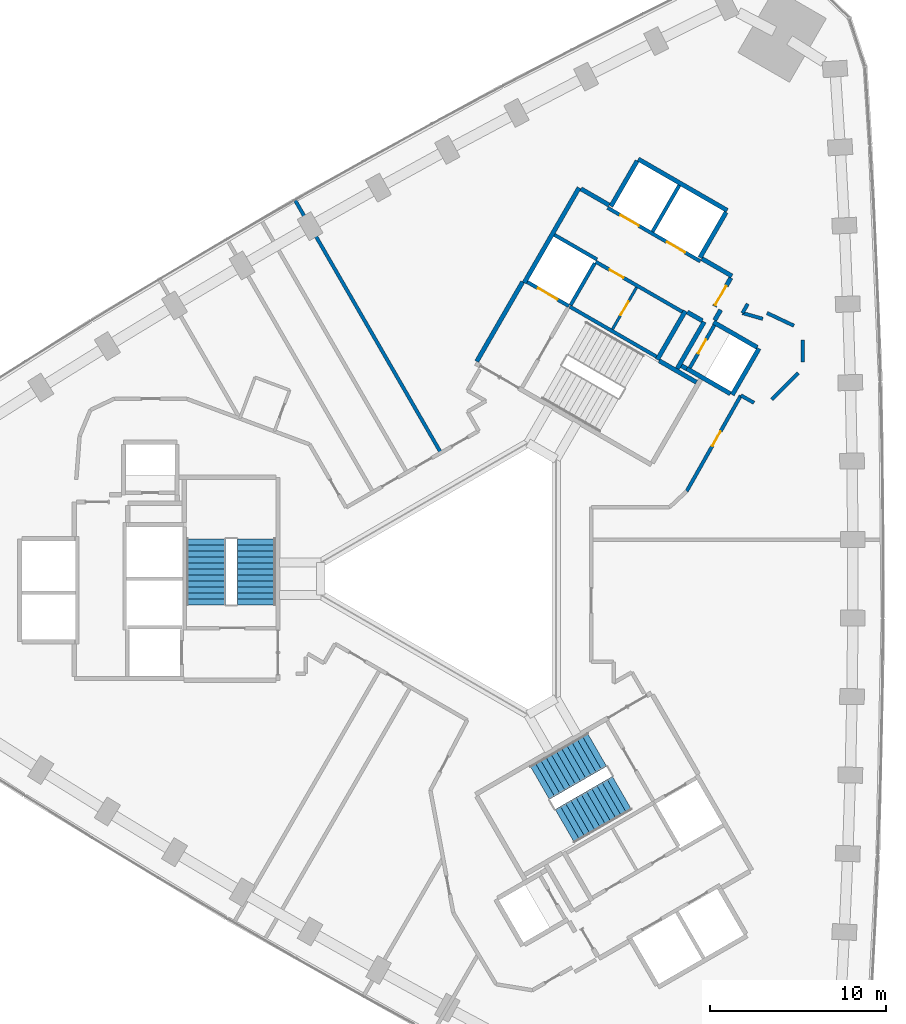
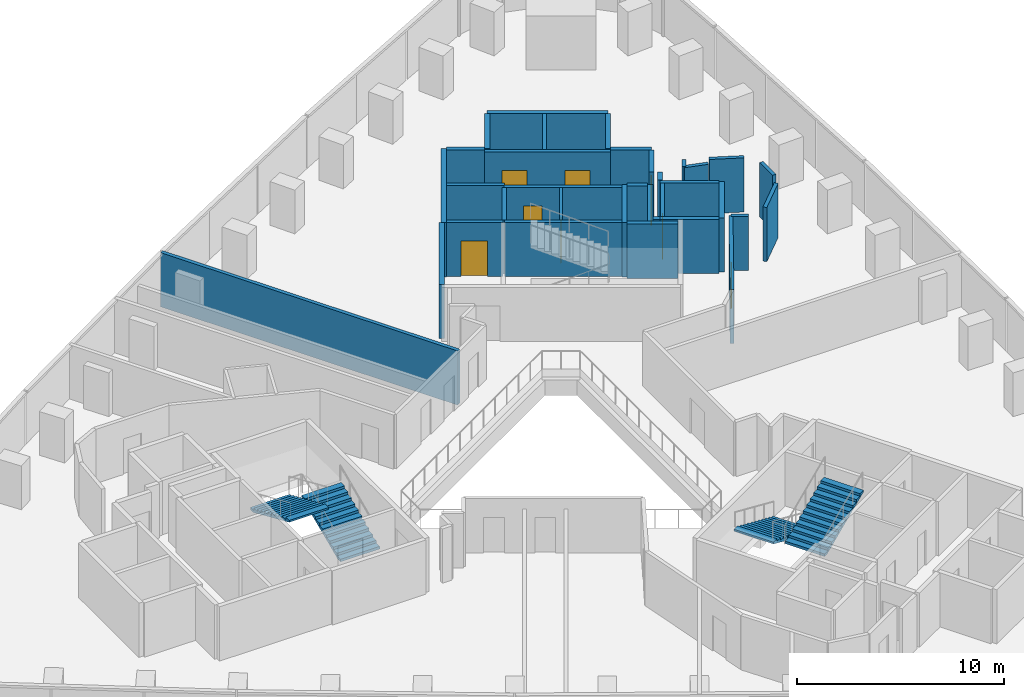
# One storey, part 10 of 12: 34 walls, 8 doors, 4 stair flights, 8 openings, 2 elements without a shape of their own.
"""IFC4 building model written with IfcOpenShell, lengths in metres."""

from ifc_helpers import new_model, si_unit, direction, frame, frame_2d, origin, place, context, subcontext, project, spatial, polyline, rectangle, outline, extrude, material, layer, layer_set, type_object, element, fill, aggregate, save


model = new_model("IFC4")

# Units and contexts
model_context = context("Model", 3, precision=1e-05, world=origin(), true_north=direction((0.0, 1.0)))
body_context = subcontext(model_context, "Body", "Model", "MODEL_VIEW")
ifc_project = project(units=[si_unit("LENGTHUNIT", "METRE"), si_unit("AREAUNIT", "SQUARE_METRE"), si_unit("VOLUMEUNIT", "CUBIC_METRE"), si_unit("PLANEANGLEUNIT", "RADIAN"), si_unit("MASSUNIT", "GRAM", prefix="KILO")], contexts=[model_context])

# Site, building, storey
site_placement = place(None, origin())
site = spatial("IfcSite", under=ifc_project, at=site_placement, CompositionType="ELEMENT")
building_placement = place(site_placement, origin())
building = spatial("IfcBuilding", under=site, at=building_placement, Name="Tamra Quay Hotel Tower", CompositionType="ELEMENT")
storey_placement = place(building_placement, frame((0.0, 0.0, 71.0)))
storey = spatial("IfcBuildingStorey", under=building, at=storey_placement, Name="L16", CompositionType="ELEMENT", Elevation=71.0)

# Wall, openings, doors
ifc_material_1 = material(Name="Concrete M70", Category="concrete")
ifc_layer_1 = layer(ifc_material_1, 0.199951171875)
ifc_layer_set_1 = layer_set([ifc_layer_1], Name="Concrete M70 core wall 200")
wall_type_1 = type_object("IfcWallType", Name="Concrete M70 core wall 200", PredefinedType="SHEAR", material=ifc_layer_set_1)
wall_1_placement = place(storey_placement, frame((13.209716796875, 18.07958984375, 0.0), z_axis=(0.0, 0.0, 1.0), x_axis=(-0.866030299012, 0.499991521122, 0.0)))
wall_1 = element("IfcWall", 1, at=wall_1_placement, inside=storey, type_object=wall_type_1, Name="CW2", PredefinedType="SHEAR", context=body_context, shape_type="SweptSolid", body=[
    extrude(rectangle(XDim=6.10009765625, YDim=0.199951171875, at=frame_2d((3.050048828125, 0.0))), origin(), (0.0, 0.0, 1.0), 3.199951171875),
])
opening_1_placement = place(wall_1_placement, frame((1.0, 0.0, 0.0)))
opening_1 = element("IfcOpeningElement", 2, at=opening_1_placement, cuts=wall_1, Name="Opening LD", PredefinedType="OPENING", context=body_context, shape_type="SweptSolid", body=[
    extrude(rectangle(XDim=1.199951171875, YDim=2.10009765625, at=frame_2d((0.60009765625, 1.050048828125))), frame((0.0, 0.10986328125, 0.0), z_axis=(0.0, -1.0, 0.0), x_axis=(1.0, 0.0, 0.0)), (0.0, 0.0, 1.0), 0.219970703125),
])
opening_2_placement = place(wall_1_placement, frame((4.05029296875, 0.0, 0.0)))
opening_2 = element("IfcOpeningElement", 3, at=opening_2_placement, cuts=wall_1, Name="Opening LD", PredefinedType="OPENING", context=body_context, shape_type="SweptSolid", body=[
    extrude(rectangle(XDim=1.199951171875, YDim=2.10009765625, at=frame_2d((0.60009765625, 1.050048828125))), frame((0.0, 0.10986328125, 0.0), z_axis=(0.0, -1.0, 0.0), x_axis=(1.0, 0.0, 0.0)), (0.0, 0.0, 1.0), 0.219970703125),
])
ifc_material_2 = material(Name="Landing door LD 1200 double door sliding")
door_type_1 = type_object("IfcDoorType", Name="Landing door LD 1200 double door sliding", OperationType="DOUBLE_DOOR_SLIDING", PredefinedType="DOOR", material=ifc_material_2)
door_1_placement = place(opening_1_placement, origin())
door_1 = element("IfcDoor", 4, at=door_1_placement, inside=storey, type_object=door_type_1, Name="LD", OperationType="DOUBLE_DOOR_SLIDING", OverallHeight=2.10009765625, OverallWidth=1.199951171875, PredefinedType="DOOR", context=body_context, shape_type="SweptSolid", body=[
    extrude(rectangle(XDim=1.199951171875, YDim=2.10009765625, at=frame_2d((0.60009765625, 1.050048828125))), frame((0.0, 0.02490234375, 0.0), z_axis=(0.0, -1.0, 0.0), x_axis=(1.0, 0.0, 0.0)), (0.0, 0.0, 1.0), 0.050048828125),
])
fill(opening_1, door_1)
door_2_placement = place(opening_2_placement, origin())
door_2 = element("IfcDoor", 5, at=door_2_placement, inside=storey, type_object=door_type_1, Name="LD", OperationType="DOUBLE_DOOR_SLIDING", OverallHeight=2.10009765625, OverallWidth=1.199951171875, PredefinedType="DOOR", context=body_context, shape_type="SweptSolid", body=[
    extrude(rectangle(XDim=1.199951171875, YDim=2.10009765625, at=frame_2d((0.60009765625, 1.050048828125))), frame((0.0, 0.02490234375, 0.0), z_axis=(0.0, -1.0, 0.0), x_axis=(1.0, 0.0, 0.0)), (0.0, 0.0, 1.0), 0.050048828125),
])
fill(opening_2, door_2)

# Wall
wall_2_placement = place(storey_placement, frame((5.774658203125, 15.501953125, 0.0), z_axis=(0.0, 0.0, 1.0), x_axis=(0.866020080793, -0.500009219579, 0.0)))
element("IfcWall", 6, at=wall_2_placement, inside=storey, type_object=wall_type_1, Name="CW2", PredefinedType="SHEAR", context=body_context, shape_type="SweptSolid", body=[
    extrude(rectangle(XDim=5.69921875, YDim=0.199951171875, at=frame_2d((2.849609375, 0.0))), origin(), (0.0, 0.0, 1.0), 3.199951171875),
])

# Wall, opening, door
wall_3_placement = place(storey_placement, frame((12.18505859375, 15.20703125, 0.0), z_axis=(0.0, 0.0, 1.0), x_axis=(-0.866020080793, 0.500009219579, 0.0)))
wall_3 = element("IfcWall", 7, at=wall_3_placement, inside=storey, type_object=wall_type_1, Name="CW2", PredefinedType="SHEAR", context=body_context, shape_type="SweptSolid", body=[
    extrude(rectangle(XDim=5.69921875, YDim=0.199951171875, at=frame_2d((2.849609375, 0.0))), origin(), (0.0, 0.0, 1.0), 3.199951171875),
])
opening_3_placement = place(wall_3_placement, frame((3.8740234375, 0.0, 0.0)))
opening_3 = element("IfcOpeningElement", 8, at=opening_3_placement, cuts=wall_3, Name="Opening D2", PredefinedType="OPENING", context=body_context, shape_type="SweptSolid", body=[
    extrude(rectangle(XDim=0.89990234375, YDim=2.10009765625, at=frame_2d((0.449951171875, 1.050048828125))), frame((0.0, 0.10986328125, 0.0), z_axis=(0.0, -1.0, 0.0), x_axis=(1.0, 0.0, 0.0)), (0.0, 0.0, 1.0), 0.219970703125),
])
ifc_material_3 = material(Name="Core door D2 900x2100 LH")
door_type_2 = type_object("IfcDoorType", Name="Core door D2 900x2100 LH", OperationType="NOTDEFINED", PredefinedType="DOOR", material=ifc_material_3)
door_3_placement = place(opening_3_placement, origin())
door_3 = element("IfcDoor", 9, at=door_3_placement, inside=storey, type_object=door_type_2, Name="D2", OperationType="SINGLE_SWING_LEFT", OverallHeight=2.10009765625, OverallWidth=0.89990234375, PredefinedType="DOOR", context=body_context, shape_type="SweptSolid", body=[
    extrude(rectangle(XDim=0.89990234375, YDim=2.10009765625, at=frame_2d((0.449951171875, 1.050048828125))), frame((0.0, 0.02490234375, 0.0), z_axis=(0.0, -1.0, 0.0), x_axis=(1.0, 0.0, 0.0)), (0.0, 0.0, 1.0), 0.050048828125),
])
fill(opening_3, door_3)

# Wall
wall_4_placement = place(storey_placement, frame((10.48876953125, 19.76708984375, 0.0), z_axis=(0.0, 0.0, 1.0), x_axis=(0.499946628782, 0.866056215479, 0.0)))
element("IfcWall", 10, at=wall_4_placement, inside=storey, type_object=wall_type_1, Name="CW2", PredefinedType="SHEAR", context=body_context, shape_type="SweptSolid", body=[
    extrude(rectangle(XDim=3.048095703125, YDim=0.199951171875, at=frame_2d((1.52392578125, 0.0))), origin(), (0.0, 0.0, 1.0), 3.199951171875),
])

# Wall, opening, door
wall_5_placement = place(storey_placement, frame((14.0078125, 14.442138671875, 0.0), z_axis=(0.0, 0.0, 1.0), x_axis=(-0.499986818241, -0.866033014143, 0.0)))
wall_5 = element("IfcWall", 11, at=wall_5_placement, inside=storey, type_object=wall_type_1, Name="CW2", PredefinedType="SHEAR", context=body_context, shape_type="SweptSolid", body=[
    extrude(rectangle(XDim=2.7978515625, YDim=0.199951171875, at=frame_2d((1.39892578125, 0.0))), origin(), (0.0, 0.0, 1.0), 3.199951171875),
])
opening_4_placement = place(wall_5_placement, frame((0.948974609375, 0.0, 0.0)))
opening_4 = element("IfcOpeningElement", 12, at=opening_4_placement, cuts=wall_5, Name="Opening D1", PredefinedType="OPENING", context=body_context, shape_type="SweptSolid", body=[
    extrude(rectangle(XDim=0.89990234375, YDim=2.10009765625, at=frame_2d((0.449951171875, 1.050048828125))), frame((0.0, 0.10986328125, 0.0), z_axis=(0.0, -1.0, 0.0), x_axis=(1.0, 0.0, 0.0)), (0.0, 0.0, 1.0), 0.219970703125),
])
ifc_material_4 = material(Name="Core door D1 900x2100 RH")
door_type_3 = type_object("IfcDoorType", Name="Core door D1 900x2100 RH", OperationType="NOTDEFINED", PredefinedType="DOOR", material=ifc_material_4)
door_4_placement = place(opening_4_placement, origin())
door_4 = element("IfcDoor", 13, at=door_4_placement, inside=storey, type_object=door_type_3, Name="D1", OperationType="SINGLE_SWING_RIGHT", OverallHeight=2.10009765625, OverallWidth=0.89990234375, PredefinedType="DOOR", context=body_context, shape_type="SweptSolid", body=[
    extrude(rectangle(XDim=0.89990234375, YDim=2.10009765625, at=frame_2d((0.449951171875, 1.050048828125))), frame((0.0, 0.02490234375, 0.0), z_axis=(0.0, -1.0, 0.0), x_axis=(1.0, 0.0, 0.0)), (0.0, 0.0, 1.0), 0.050048828125),
])
fill(opening_4, door_4)

# Wall
wall_6_placement = place(storey_placement, frame((7.199462890625, 17.969970703125, 0.0), z_axis=(0.0, 0.0, 1.0), x_axis=(-0.499968400327, -0.866043647095, 0.0)))
element("IfcWall", 14, at=wall_6_placement, inside=storey, type_object=wall_type_1, Name="CW2", PredefinedType="SHEAR", context=body_context, shape_type="SweptSolid", body=[
    extrude(rectangle(XDim=2.749755859375, YDim=0.199951171875, at=frame_2d((1.375, 0.0))), origin(), (0.0, 0.0, 1.0), 3.199951171875),
])

# Wall, opening, door
wall_7_placement = place(storey_placement, frame((5.72509765625, 15.530517578125, 0.0), z_axis=(0.0, 0.0, 1.0), x_axis=(-0.866037306777, 0.499979382845, 0.0)))
wall_7 = element("IfcWall", 15, at=wall_7_placement, inside=storey, type_object=wall_type_1, Name="CW2", PredefinedType="SHEAR", context=body_context, shape_type="SweptSolid", body=[
    extrude(rectangle(XDim=2.74169921875, YDim=0.199951171875, at=frame_2d((1.370849609375, 0.0))), origin(), (0.0, 0.0, 1.0), 3.199951171875),
])
opening_5_placement = place(wall_7_placement, frame((0.742919921875, 0.0, 0.0)))
opening_5 = element("IfcOpeningElement", 16, at=opening_5_placement, cuts=wall_7, Name="Opening LD", PredefinedType="OPENING", context=body_context, shape_type="SweptSolid", body=[
    extrude(rectangle(XDim=1.300048828125, YDim=2.10009765625, at=frame_2d((0.64990234375, 1.050048828125))), frame((0.0, 0.10986328125, 0.0), z_axis=(0.0, -1.0, 0.0), x_axis=(1.0, 0.0, 0.0)), (0.0, 0.0, 1.0), 0.219970703125),
])
ifc_material_5 = material(Name="Landing door LD 1300 sliding to right")
door_type_4 = type_object("IfcDoorType", Name="Landing door LD 1300 sliding to right", OperationType="NOTDEFINED", PredefinedType="DOOR", material=ifc_material_5)
door_5_placement = place(opening_5_placement, origin())
door_5 = element("IfcDoor", 17, at=door_5_placement, inside=storey, type_object=door_type_4, Name="LD", OperationType="SLIDING_TO_RIGHT", OverallHeight=2.10009765625, OverallWidth=1.300048828125, PredefinedType="DOOR", context=body_context, shape_type="SweptSolid", body=[
    extrude(rectangle(XDim=1.300048828125, YDim=2.10009765625, at=frame_2d((0.64990234375, 1.050048828125))), frame((0.0, 0.02490234375, 0.0), z_axis=(0.0, -1.0, 0.0), x_axis=(1.0, 0.0, 0.0)), (0.0, 0.0, 1.0), 0.050048828125),
])
fill(opening_5, door_5)

# Walls
wall_8_placement = place(storey_placement, frame((4.900634765625, 19.5859375, 0.0), z_axis=(0.0, 0.0, 1.0), x_axis=(0.866022890907, -0.500004352405, 0.0)))
element("IfcWall", 18, at=wall_8_placement, inside=storey, type_object=wall_type_1, Name="CW2", PredefinedType="SHEAR", context=body_context, shape_type="SweptSolid", body=[
    extrude(rectangle(XDim=2.798828125, YDim=0.199951171875, at=frame_2d((1.3994140625, 0.0))), origin(), (0.0, 0.0, 1.0), 3.199951171875),
])
ifc_layer_2 = layer(ifc_material_1, 0.25)
ifc_layer_set_2 = layer_set([ifc_layer_2], Name="Concrete M70 core wall 250")
wall_type_2 = type_object("IfcWallType", Name="Concrete M70 core wall 250", PredefinedType="SHEAR", material=ifc_layer_set_2)
wall_9_placement = place(storey_placement, frame((3.178955078125, 16.856201171875, 0.0), z_axis=(0.0, 0.0, 1.0), x_axis=(0.500004234368, 0.866022959057, 0.0)))
element("IfcWall", 19, at=wall_9_placement, inside=storey, type_object=wall_type_2, Name="CW1", PredefinedType="SHEAR", context=body_context, shape_type="SweptSolid", body=[
    extrude(rectangle(XDim=6.25, YDim=0.25, at=frame_2d((3.125, 0.0))), origin(), (0.0, 0.0, 1.0), 3.199951171875),
])
wall_10_placement = place(storey_placement, frame((9.672607421875, 23.9033203125, 0.0), z_axis=(0.0, 0.0, 1.0), x_axis=(0.86603616409, -0.499981362141, 0.0)))
element("IfcWall", 20, at=wall_10_placement, inside=storey, type_object=wall_type_2, Name="CW1", PredefinedType="SHEAR", context=body_context, shape_type="SweptSolid", body=[
    extrude(rectangle(XDim=5.849853515625, YDim=0.25, at=frame_2d((2.9248046875, 0.0))), origin(), (0.0, 0.0, 1.0), 3.199951171875),
])
wall_11_placement = place(storey_placement, frame((0.47998046875, 12.38134765625, 0.0), z_axis=(0.0, 0.0, 1.0), x_axis=(0.49999885962, 0.866026062182, 0.0)))
element("IfcWall", 21, at=wall_11_placement, inside=storey, type_object=wall_type_2, Name="CW1", PredefinedType="SHEAR", context=body_context, shape_type="SweptSolid", body=[
    extrude(rectangle(XDim=5.224609375, YDim=0.25, at=frame_2d((2.6123046875, 0.0))), origin(), (0.0, 0.0, 1.0), 3.199951171875),
])
wall_12_placement = place(storey_placement, frame((12.356689453125, 15.25244140625, 0.0), z_axis=(0.0, 0.0, 1.0), x_axis=(-0.500028443584, -0.866008981251, 0.0)))
element("IfcWall", 22, at=wall_12_placement, inside=storey, type_object=wall_type_2, Name="CW1", PredefinedType="SHEAR", context=body_context, shape_type="SweptSolid", body=[
    extrude(rectangle(XDim=3.199951171875, YDim=0.25, at=frame_2d((1.60009765625, 0.0))), origin(), (0.0, 0.0, 1.0), 3.199951171875),
])
for number, where, z_axis, x_axis, name in (
    (23, (8.12255859375, 21.21875, 0.0), (0.0, 0.0, 1.0), (0.499987686533, 0.866032512851, 0.0), "CW1"),
    (24, (14.67626953125, 20.869873046875, 0.0), (0.0, 0.0, 1.0), (-0.499987686533, -0.866032512851, 0.0), "CW1"),
):
    element("IfcWall", number, at=place(storey_placement, frame(where, z_axis=z_axis, x_axis=x_axis)), inside=storey, type_object=wall_type_2, Name=name, PredefinedType="SHEAR", context=body_context, shape_type="SweptSolid", body=[
        extrude(rectangle(XDim=2.974609375, YDim=0.25, at=frame_2d((1.4873046875, 0.0))), origin(), (0.0, 0.0, 1.0), 3.199951171875),
    ])
wall_13_placement = place(storey_placement, frame((16.552001953125, 13.118896484375, 0.0), z_axis=(0.0, 0.0, 1.0), x_axis=(-0.499978833458, -0.866037623948, 0.0)))
element("IfcWall", 25, at=wall_13_placement, inside=storey, type_object=wall_type_2, Name="CW1", PredefinedType="SHEAR", context=body_context, shape_type="SweptSolid", body=[
    extrude(rectangle(XDim=3.050048828125, YDim=0.25, at=frame_2d((1.52490234375, 0.0))), origin(), (0.0, 0.0, 1.0), 3.199951171875),
])
wall_14_placement = place(storey_placement, frame((14.91845703125, 10.540283203125, 0.0), z_axis=(0.0, 0.0, 1.0), x_axis=(-0.866063538972, 0.499933942099, 0.0)))
element("IfcWall", 26, at=wall_14_placement, inside=storey, type_object=wall_type_2, Name="CW1", PredefinedType="SHEAR", context=body_context, shape_type="SweptSolid", body=[
    extrude(rectangle(XDim=2.86474609375, YDim=0.25, at=frame_2d((1.432373046875, 0.0))), origin(), (0.0, 0.0, 1.0), 3.199951171875),
])
wall_15_placement = place(storey_placement, frame((13.962646484375, 14.61376953125, 0.0), z_axis=(0.0, 0.0, 1.0), x_axis=(0.866042235819, -0.499970844928, 0.0)))
element("IfcWall", 27, at=wall_15_placement, inside=storey, type_object=wall_type_2, Name="CW1", PredefinedType="SHEAR", context=body_context, shape_type="SweptSolid", body=[
    extrude(rectangle(XDim=2.864501953125, YDim=0.25, at=frame_2d((1.43212890625, 0.0))), origin(), (0.0, 0.0, 1.0), 3.199951171875),
])
wall_16_placement = place(storey_placement, frame((11.887939453125, 11.960693359375, 0.0), z_axis=(0.0, 0.0, 1.0), x_axis=(0.500003324108, 0.866023484601, 0.0)))
element("IfcWall", 28, at=wall_16_placement, inside=storey, type_object=wall_type_2, Name="CW1", PredefinedType="SHEAR", context=body_context, shape_type="SweptSolid", body=[
    extrude(rectangle(XDim=3.0849609375, YDim=0.25, at=frame_2d((1.54248046875, 0.0))), origin(), (0.0, 0.0, 1.0), 3.199951171875),
])
wall_17_placement = place(storey_placement, frame((10.865234375, 12.41845703125, 0.0), z_axis=(0.0, 0.0, 1.0), x_axis=(0.866026229868, -0.499998569178, 0.0)))
element("IfcWall", 29, at=wall_17_placement, inside=storey, type_object=wall_type_2, Name="CW1", PredefinedType="SHEAR", context=body_context, shape_type="SweptSolid", body=[
    extrude(rectangle(XDim=2.44921875, YDim=0.25, at=frame_2d((1.224609375, 0.0))), origin(), (0.0, 0.0, 1.0), 3.199951171875),
])
wall_18_placement = place(storey_placement, frame((13.29736328125, 18.23095703125, 0.0), z_axis=(0.0, 0.0, 1.0), x_axis=(0.866043531843, -0.499968599967, 0.0)))
element("IfcWall", 30, at=wall_18_placement, inside=storey, type_object=wall_type_2, Name="CW1", PredefinedType="SHEAR", context=body_context, shape_type="SweptSolid", body=[
    extrude(rectangle(XDim=1.974853515625, YDim=0.25, at=frame_2d((0.9873046875, 0.0))), origin(), (0.0, 0.0, 1.0), 3.199951171875),
])
wall_19_placement = place(storey_placement, frame((6.41259765625, 22.2060546875, 0.0), z_axis=(0.0, 0.0, 1.0), x_axis=(0.866016279763, -0.500015802937, 0.0)))
element("IfcWall", 31, at=wall_19_placement, inside=storey, type_object=wall_type_2, Name="CW1", PredefinedType="SHEAR", context=body_context, shape_type="SweptSolid", body=[
    extrude(rectangle(XDim=1.84912109375, YDim=0.25, at=frame_2d((0.924560546875, 0.0))), origin(), (0.0, 0.0, 1.0), 3.199951171875),
])

# Wall, opening, door
wall_20_placement = place(storey_placement, frame((14.94482421875, 17.13525390625, 0.0), z_axis=(0.0, 0.0, 1.0), x_axis=(-0.499983108224, -0.866035156036, 0.0)))
wall_20 = element("IfcWall", 32, at=wall_20_placement, inside=storey, type_object=wall_type_2, Name="CW1", PredefinedType="SHEAR", context=body_context, shape_type="SweptSolid", body=[
    extrude(rectangle(XDim=1.86474609375, YDim=0.25, at=frame_2d((0.932373046875, 0.0))), origin(), (0.0, 0.0, 1.0), 3.199951171875),
])
opening_6_placement = place(wall_20_placement, frame((0.53466796875, 0.0, 0.0)))
opening_6 = element("IfcOpeningElement", 33, at=opening_6_placement, cuts=wall_20, Name="Opening FD3", PredefinedType="OPENING", context=body_context, shape_type="SweptSolid", body=[
    extrude(rectangle(XDim=1.25, YDim=2.10009765625, at=frame_2d((0.625, 1.050048828125))), frame((0.0, 0.135009765625, 0.0), z_axis=(0.0, -1.0, 0.0), x_axis=(1.0, 0.0, 0.0)), (0.0, 0.0, 1.0), 0.27001953125),
])
ifc_material_6 = material(Name="Core door FD3 1250x2100 LH")
door_type_5 = type_object("IfcDoorType", Name="Core door FD3 1250x2100 LH", OperationType="NOTDEFINED", PredefinedType="DOOR", material=ifc_material_6)
door_6_placement = place(opening_6_placement, origin())
door_6 = element("IfcDoor", 34, at=door_6_placement, inside=storey, type_object=door_type_5, Name="FD3", OperationType="SINGLE_SWING_LEFT", OverallHeight=2.10009765625, OverallWidth=1.25, PredefinedType="DOOR", context=body_context, shape_type="SweptSolid", body=[
    extrude(rectangle(XDim=1.25, YDim=2.10009765625, at=frame_2d((0.625, 1.050048828125))), frame((0.0, 0.02490234375, 0.0), z_axis=(0.0, -1.0, 0.0), x_axis=(1.0, 0.0, 0.0)), (0.0, 0.0, 1.0), 0.050048828125),
])
fill(opening_6, door_6)

# Walls
wall_21_placement = place(storey_placement, frame((13.322021484375, 14.695068359375, 0.0), z_axis=(0.0, 0.0, 1.0), x_axis=(-0.866017078145, 0.500014420154, 0.0)))
element("IfcWall", 35, at=wall_21_placement, inside=storey, type_object=wall_type_2, Name="CW1", PredefinedType="SHEAR", context=body_context, shape_type="SweptSolid", body=[
    extrude(rectangle(XDim=0.9892578125, YDim=0.25, at=frame_2d((0.49462890625, 0.0))), origin(), (0.0, 0.0, 1.0), 3.199951171875),
])
wall_22_placement = place(storey_placement, frame((14.36767578125, 15.3154296875, 0.0), z_axis=(0.0, 0.0, 1.0), x_axis=(-0.499897359611, -0.866084655132, 0.0)))
element("IfcWall", 36, at=wall_22_placement, inside=storey, type_object=wall_type_2, Name="CW1", PredefinedType="SHEAR", context=body_context, shape_type="SweptSolid", body=[
    extrude(rectangle(XDim=0.684814453125, YDim=0.25, at=frame_2d((0.34228515625, 0.0))), origin(), (0.0, 0.0, 1.0), 3.199951171875),
])
wall_23_placement = place(storey_placement, frame((12.4326171875, 11.9638671875, 0.0), z_axis=(0.0, 0.0, 1.0), x_axis=(-0.866055875208, 0.499947218231, 0.0)))
element("IfcWall", 37, at=wall_23_placement, inside=storey, type_object=wall_type_2, Name="CW1", PredefinedType="SHEAR", context=body_context, shape_type="SweptSolid", body=[
    extrude(rectangle(XDim=0.3447265625, YDim=0.25, at=frame_2d((0.17236328125, 0.0))), origin(), (0.0, 0.0, 1.0), 3.199951171875),
])

# Wall, opening, door
ifc_material_7 = material(Name="Blockwork", Category="masonry")
ifc_layer_3 = layer(ifc_material_7, 0.14990234375)
ifc_layer_set_3 = layer_set([ifc_layer_3], Name="Core partition block 150")
wall_type_3 = type_object("IfcWallType", Name="Core partition block 150", PredefinedType="PARTITIONING", material=ifc_layer_set_3)
wall_24_placement = place(storey_placement, frame((8.20654296875, 14.214111328125, 0.0), z_axis=(0.0, 0.0, 1.0), x_axis=(0.499922376475, 0.866070215109, 0.0)))
wall_24 = element("IfcWall", 38, at=wall_24_placement, inside=storey, type_object=wall_type_3, Name="CP1", PredefinedType="PARTITIONING", context=body_context, shape_type="SweptSolid", body=[
    extrude(rectangle(XDim=2.74853515625, YDim=0.14990234375, at=frame_2d((1.374267578125, 0.0))), origin(), (0.0, 0.0, 1.0), 3.199951171875),
])
opening_7_placement = place(wall_24_placement, frame((0.92431640625, 0.0, 0.0)))
opening_7 = element("IfcOpeningElement", 39, at=opening_7_placement, cuts=wall_24, Name="Opening D2", PredefinedType="OPENING", context=body_context, shape_type="SweptSolid", body=[
    extrude(rectangle(XDim=0.89990234375, YDim=2.10009765625, at=frame_2d((0.449951171875, 1.050048828125))), frame((0.0, 0.0849609375, 0.0), z_axis=(0.0, -1.0, 0.0), x_axis=(1.0, 0.0, 0.0)), (0.0, 0.0, 1.0), 0.169921875),
])
door_7_placement = place(opening_7_placement, origin())
door_7 = element("IfcDoor", 40, at=door_7_placement, inside=storey, type_object=door_type_2, Name="D2", OperationType="SINGLE_SWING_LEFT", OverallHeight=2.10009765625, OverallWidth=0.89990234375, PredefinedType="DOOR", context=body_context, shape_type="SweptSolid", body=[
    extrude(rectangle(XDim=0.89990234375, YDim=2.10009765625, at=frame_2d((0.449951171875, 1.050048828125))), frame((0.0, 0.02490234375, 0.0), z_axis=(0.0, -1.0, 0.0), x_axis=(1.0, 0.0, 0.0)), (0.0, 0.0, 1.0), 0.050048828125),
])
fill(opening_7, door_7)

ifc_material_8 = material(Name="Partition corridor wall")
ifc_layer_4 = layer(ifc_material_8, 0.199951171875)
ifc_layer_set_4 = layer_set([ifc_layer_4], Name="Partition corridor wall")
wall_type_4 = type_object("IfcWallType", Name="Partition corridor wall", PredefinedType="PARTITIONING", material=ifc_layer_set_4)
wall_25_placement = place(storey_placement, frame((12.43310546875, 4.991943359375, 0.0), z_axis=(0.0, 0.0, 1.0), x_axis=(0.492575945335, 0.870269462912, 0.0)))
wall_25 = element("IfcWall", 41, at=wall_25_placement, inside=storey, type_object=wall_type_4, Name="W-C", PredefinedType="PARTITIONING", context=body_context, shape_type="SweptSolid", body=[
    extrude(rectangle(XDim=6.264892578125, YDim=0.199951171875, at=frame_2d((3.13232421875, 0.0))), origin(), (0.0, 0.0, 1.0), 3.199951171875),
])
opening_8_placement = place(wall_25_placement, frame((2.96484375, 0.0, 0.0)))
opening_8 = element("IfcOpeningElement", 42, at=opening_8_placement, cuts=wall_25, Name="Opening L16-D002", PredefinedType="OPENING", context=body_context, shape_type="SweptSolid", body=[
    extrude(rectangle(XDim=0.949951171875, YDim=2.10009765625, at=frame_2d((0.47509765625, 1.050048828125))), frame((0.0, 0.10986328125, 0.0), z_axis=(0.0, -1.0, 0.0), x_axis=(1.0, 0.0, 0.0)), (0.0, 0.0, 1.0), 0.219970703125),
])
ifc_material_9 = material(Name="Door guest room 950x2100")
door_type_6 = type_object("IfcDoorType", Name="Door guest room 950x2100", OperationType="NOTDEFINED", PredefinedType="DOOR", material=ifc_material_9)
door_8_placement = place(opening_8_placement, frame((0.949951171875, 0.0, 0.0), z_axis=(0.0, 0.0, 1.0), x_axis=(-1.0, 0.0, 0.0)))
door_8 = element("IfcDoor", 43, at=door_8_placement, inside=storey, type_object=door_type_6, Name="L16-D002", OperationType="SINGLE_SWING_LEFT", OverallHeight=2.10009765625, OverallWidth=0.949951171875, PredefinedType="DOOR", context=body_context, shape_type="SweptSolid", body=[
    extrude(rectangle(XDim=0.949951171875, YDim=2.10009765625, at=frame_2d((0.47509765625, 1.050048828125))), frame((0.0, 0.02490234375, 0.0), z_axis=(0.0, -1.0, 0.0), x_axis=(1.0, 0.0, 0.0)), (0.0, 0.0, 1.0), 0.050048828125),
])
fill(opening_8, door_8)

# Walls
wall_26_placement = place(storey_placement, frame((15.51904296875, 10.444091796875, 0.0), z_axis=(0.0, 0.0, 1.0), x_axis=(0.870434949671, -0.492283453298, 0.0)))
element("IfcWall", 44, at=wall_26_placement, inside=storey, type_object=wall_type_4, Name="W-C", PredefinedType="PARTITIONING", context=body_context, shape_type="SweptSolid", body=[
    extrude(rectangle(XDim=0.853515625, YDim=0.199951171875, at=frame_2d((0.4267578125, 0.0))), origin(), (0.0, 0.0, 1.0), 3.199951171875),
])
wall_27_placement = place(storey_placement, frame((15.60888671875, 15.135986328125, 0.0), z_axis=(0.0, 0.0, 1.0), x_axis=(0.499251952799, 0.866456858491, 0.0)))
element("IfcWall", 45, at=wall_27_placement, inside=storey, type_object=wall_type_4, Name="W-C", PredefinedType="PARTITIONING", context=body_context, shape_type="SweptSolid", body=[
    extrude(rectangle(XDim=0.59912109375, YDim=0.199951171875, at=frame_2d((0.299560546875, 0.0))), origin(), (0.0, 0.0, 1.0), 3.199951171875),
])
wall_28_placement = place(storey_placement, frame((15.60888671875, 15.135986328125, 0.0), z_axis=(0.0, 0.0, 1.0), x_axis=(0.961662011825, -0.274237442763, 0.0)))
element("IfcWall", 46, at=wall_28_placement, inside=storey, type_object=wall_type_4, Name="W-C", PredefinedType="PARTITIONING", context=body_context, shape_type="SweptSolid", body=[
    extrude(rectangle(XDim=1.199951171875, YDim=0.199951171875, at=frame_2d((0.60009765625, 0.0))), origin(), (0.0, 0.0, 1.0), 3.199951171875),
])
wall_29_placement = place(storey_placement, frame((17.009033203125, 15.134033203125, 0.0), z_axis=(0.0, 0.0, 1.0), x_axis=(0.904158632931, -0.427196870887, 0.0)))
element("IfcWall", 47, at=wall_29_placement, inside=storey, type_object=wall_type_4, Name="W-C", PredefinedType="PARTITIONING", context=body_context, shape_type="SweptSolid", body=[
    extrude(rectangle(XDim=1.687744140625, YDim=0.199951171875, at=frame_2d((0.84375, 0.0))), origin(), (0.0, 0.0, 1.0), 3.199951171875),
])
wall_30_placement = place(storey_placement, frame((17.287109375, 10.212890625, 0.0), z_axis=(0.0, 0.0, 1.0), x_axis=(0.706819117262, 0.707394328132, 0.0)))
element("IfcWall", 48, at=wall_30_placement, inside=storey, type_object=wall_type_4, Name="W-C", PredefinedType="PARTITIONING", context=body_context, shape_type="SweptSolid", body=[
    extrude(rectangle(XDim=2.1220703125, YDim=0.199951171875, at=frame_2d((1.06103515625, 0.0))), origin(), (0.0, 0.0, 1.0), 3.199951171875),
])
wall_31_placement = place(storey_placement, frame((19.050048828125, 12.34912109375, 0.0), z_axis=(0.0, 0.0, 1.0), x_axis=(0.0, 1.0, 0.0)))
element("IfcWall", 49, at=wall_31_placement, inside=storey, type_object=wall_type_4, Name="W-C", PredefinedType="PARTITIONING", context=body_context, shape_type="SweptSolid", body=[
    extrude(rectangle(XDim=1.25, YDim=0.199951171875, at=frame_2d((0.625, 0.0))), origin(), (0.0, 0.0, 1.0), 3.199951171875),
])
ifc_material_10 = material(Name="Partition party wall")
ifc_layer_5 = layer(ifc_material_10, 0.199951171875)
ifc_layer_set_5 = layer_set([ifc_layer_5], Name="Partition party wall")
wall_type_5 = type_object("IfcWallType", Name="Partition party wall", PredefinedType="PARTITIONING", material=ifc_layer_set_5)
wall_32_placement = place(storey_placement, frame((-9.870849609375, 21.5673828125, 0.0), z_axis=(0.0, 0.0, 1.0), x_axis=(0.499933694707, -0.866063681779, 0.0)))
element("IfcWall", 50, at=wall_32_placement, inside=storey, type_object=wall_type_5, Name="W-P", PredefinedType="PARTITIONING", context=body_context, shape_type="SweptSolid", body=[
    extrude(rectangle(XDim=16.607666015625, YDim=0.199951171875, at=frame_2d((8.3037109375, 0.0))), origin(), (0.0, 0.0, 1.0), 3.199951171875),
])

# Stair, stair flights
ifc_material_11 = material(Name="Exit stair 2200 24 risers 150.0 going 342")
stair_type = type_object("IfcStairType", Name="Exit stair 2200 24 risers 150.0 going 342", PredefinedType="HALF_TURN_STAIR", material=ifc_material_11)
stair_1_placement = place(storey_placement, origin())
stair_1 = element("IfcStair", 51, at=stair_1_placement, inside=storey, type_object=stair_type, Name="L16 Exit stair ST3", PredefinedType="HALF_TURN_STAIR")
ifc_material_12 = material(Name="Exit stair flight 2200 12 risers 150.0")
stair_flight_type = type_object("IfcStairFlightType", Name="Exit stair flight 2200 12 risers 150.0", PredefinedType="STRAIGHT", material=ifc_material_12)
stair_flight_1_placement = place(storey_placement, frame((-12.082275390625, -1.47998046875, 0.0), z_axis=(0.0, 0.0, 1.0), x_axis=(0.0, 1.0, 0.0)))
stair_flight_1 = element("IfcStairFlight", 52, at=stair_flight_1_placement, type_object=stair_flight_type, Name="ST3 flight 1", NumberOfRisers=12, NumberOfTreads=11, PredefinedType="STRAIGHT", RiserHeight=0.15, TreadLength=0.342, context=body_context, shape_type="SweptSolid", body=[
    extrude(outline(polyline([(0.0, 0.0), (0.0, 0.14990234375), (0.342041015625, 0.14990234375), (0.342041015625, 0.300048828125), (0.68408203125, 0.300048828125), (0.68408203125, 0.449951171875), (1.02587890625, 0.449951171875), (1.02587890625, 0.60009765625), (1.367919921875, 0.60009765625), (1.367919921875, 0.75), (1.7099609375, 0.75), (1.7099609375, 0.89990234375), (2.052001953125, 0.89990234375), (2.052001953125, 1.050048828125), (2.39404296875, 1.050048828125), (2.39404296875, 1.199951171875), (2.736083984375, 1.199951171875), (2.736083984375, 1.35009765625), (3.077880859375, 1.35009765625), (3.077880859375, 1.5), (3.419921875, 1.5), (3.419921875, 1.64990234375), (3.761962890625, 1.64990234375), (3.761962890625, 1.800048828125), (3.761962890625, 1.540771484375), (0.249267578125, 0.0), (0.0, 0.0)])), frame((0.0, 1.10009765625, 0.0), z_axis=(0.0, -1.0, 0.0), x_axis=(1.0, 0.0, 0.0)), (0.0, 0.0, 1.0), 2.199951171875),
])
stair_flight_2_placement = place(storey_placement, frame((-14.94140625, 2.281982421875, 1.800048828125), z_axis=(0.0, 0.0, 1.0), x_axis=(0.0, -1.0, 0.0)))
stair_flight_2 = element("IfcStairFlight", 53, at=stair_flight_2_placement, type_object=stair_flight_type, Name="ST3 flight 2", NumberOfRisers=12, NumberOfTreads=11, PredefinedType="STRAIGHT", RiserHeight=0.15, TreadLength=0.342, context=body_context, shape_type="SweptSolid", body=[
    extrude(outline(polyline([(0.0, 0.0), (0.0, 0.14990234375), (0.342041015625, 0.14990234375), (0.342041015625, 0.300048828125), (0.68408203125, 0.300048828125), (0.68408203125, 0.449951171875), (1.02587890625, 0.449951171875), (1.02587890625, 0.60009765625), (1.367919921875, 0.60009765625), (1.367919921875, 0.75), (1.7099609375, 0.75), (1.7099609375, 0.89990234375), (2.052001953125, 0.89990234375), (2.052001953125, 1.050048828125), (2.39404296875, 1.050048828125), (2.39404296875, 1.199951171875), (2.736083984375, 1.199951171875), (2.736083984375, 1.35009765625), (3.077880859375, 1.35009765625), (3.077880859375, 1.5), (3.419921875, 1.5), (3.419921875, 1.64990234375), (3.761962890625, 1.64990234375), (3.761962890625, 1.800048828125), (3.761962890625, 1.540771484375), (0.249267578125, 0.0), (0.0, 0.0)])), frame((0.0, 1.10009765625, 0.0), z_axis=(0.0, -1.0, 0.0), x_axis=(1.0, 0.0, 0.0)), (0.0, 0.0, 1.0), 2.199951171875),
])
aggregate(stair_1, [stair_flight_1, stair_flight_2])

stair_2_placement = place(storey_placement, origin())
stair_2 = element("IfcStair", 54, at=stair_2_placement, inside=storey, type_object=stair_type, Name="L16 Exit stair ST2", PredefinedType="HALF_TURN_STAIR")
stair_flight_3_placement = place(storey_placement, frame((7.322998046875, -9.7236328125, 0.0), z_axis=(0.0, 0.0, 1.0), x_axis=(-0.866025403784, -0.5, 0.0)))
stair_flight_3 = element("IfcStairFlight", 55, at=stair_flight_3_placement, type_object=stair_flight_type, Name="ST2 flight 1", NumberOfRisers=12, NumberOfTreads=11, PredefinedType="STRAIGHT", RiserHeight=0.15, TreadLength=0.342, context=body_context, shape_type="SweptSolid", body=[
    extrude(outline(polyline([(0.0, 0.0), (0.0, 0.14990234375), (0.342041015625, 0.14990234375), (0.342041015625, 0.300048828125), (0.68408203125, 0.300048828125), (0.68408203125, 0.449951171875), (1.02587890625, 0.449951171875), (1.02587890625, 0.60009765625), (1.367919921875, 0.60009765625), (1.367919921875, 0.75), (1.7099609375, 0.75), (1.7099609375, 0.89990234375), (2.052001953125, 0.89990234375), (2.052001953125, 1.050048828125), (2.39404296875, 1.050048828125), (2.39404296875, 1.199951171875), (2.736083984375, 1.199951171875), (2.736083984375, 1.35009765625), (3.077880859375, 1.35009765625), (3.077880859375, 1.5), (3.419921875, 1.5), (3.419921875, 1.64990234375), (3.761962890625, 1.64990234375), (3.761962890625, 1.800048828125), (3.761962890625, 1.540771484375), (0.249267578125, 0.0), (0.0, 0.0)])), frame((0.0, 1.10009765625, 0.0), z_axis=(0.0, -1.0, 0.0), x_axis=(1.0, 0.0, 0.0)), (0.0, 0.0, 1.0), 2.199951171875),
])
stair_flight_4_placement = place(storey_placement, frame((5.494384765625, -14.08056640625, 1.800048828125), z_axis=(0.0, 0.0, 1.0), x_axis=(0.866025403784, 0.5, 0.0)))
stair_flight_4 = element("IfcStairFlight", 56, at=stair_flight_4_placement, type_object=stair_flight_type, Name="ST2 flight 2", NumberOfRisers=12, NumberOfTreads=11, PredefinedType="STRAIGHT", RiserHeight=0.15, TreadLength=0.342, context=body_context, shape_type="SweptSolid", body=[
    extrude(outline(polyline([(0.0, 0.0), (0.0, 0.14990234375), (0.342041015625, 0.14990234375), (0.342041015625, 0.300048828125), (0.68408203125, 0.300048828125), (0.68408203125, 0.449951171875), (1.02587890625, 0.449951171875), (1.02587890625, 0.60009765625), (1.367919921875, 0.60009765625), (1.367919921875, 0.75), (1.7099609375, 0.75), (1.7099609375, 0.89990234375), (2.052001953125, 0.89990234375), (2.052001953125, 1.050048828125), (2.39404296875, 1.050048828125), (2.39404296875, 1.199951171875), (2.736083984375, 1.199951171875), (2.736083984375, 1.35009765625), (3.077880859375, 1.35009765625), (3.077880859375, 1.5), (3.419921875, 1.5), (3.419921875, 1.64990234375), (3.761962890625, 1.64990234375), (3.761962890625, 1.800048828125), (3.761962890625, 1.540771484375), (0.249267578125, 0.0), (0.0, 0.0)])), frame((0.0, 1.10009765625, 0.0), z_axis=(0.0, -1.0, 0.0), x_axis=(1.0, 0.0, 0.0)), (0.0, 0.0, 1.0), 2.199951171875),
])
aggregate(stair_2, [stair_flight_3, stair_flight_4])

save(model, "model.ifc")
